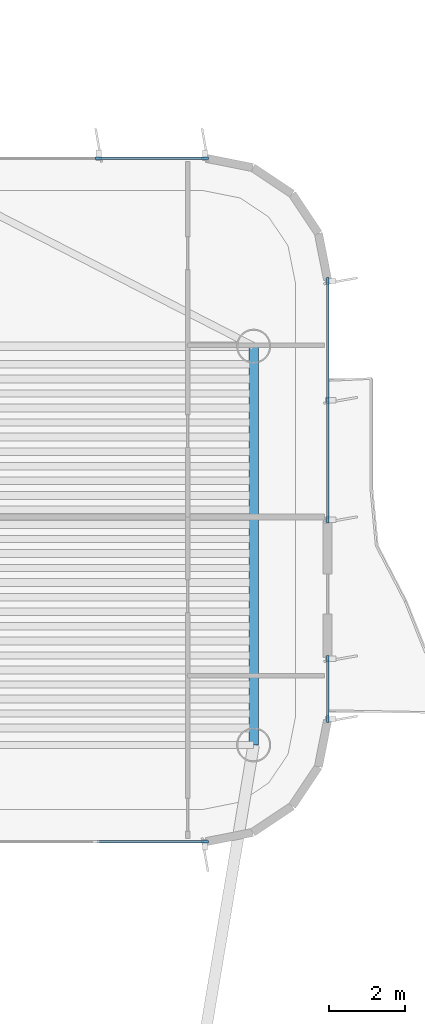
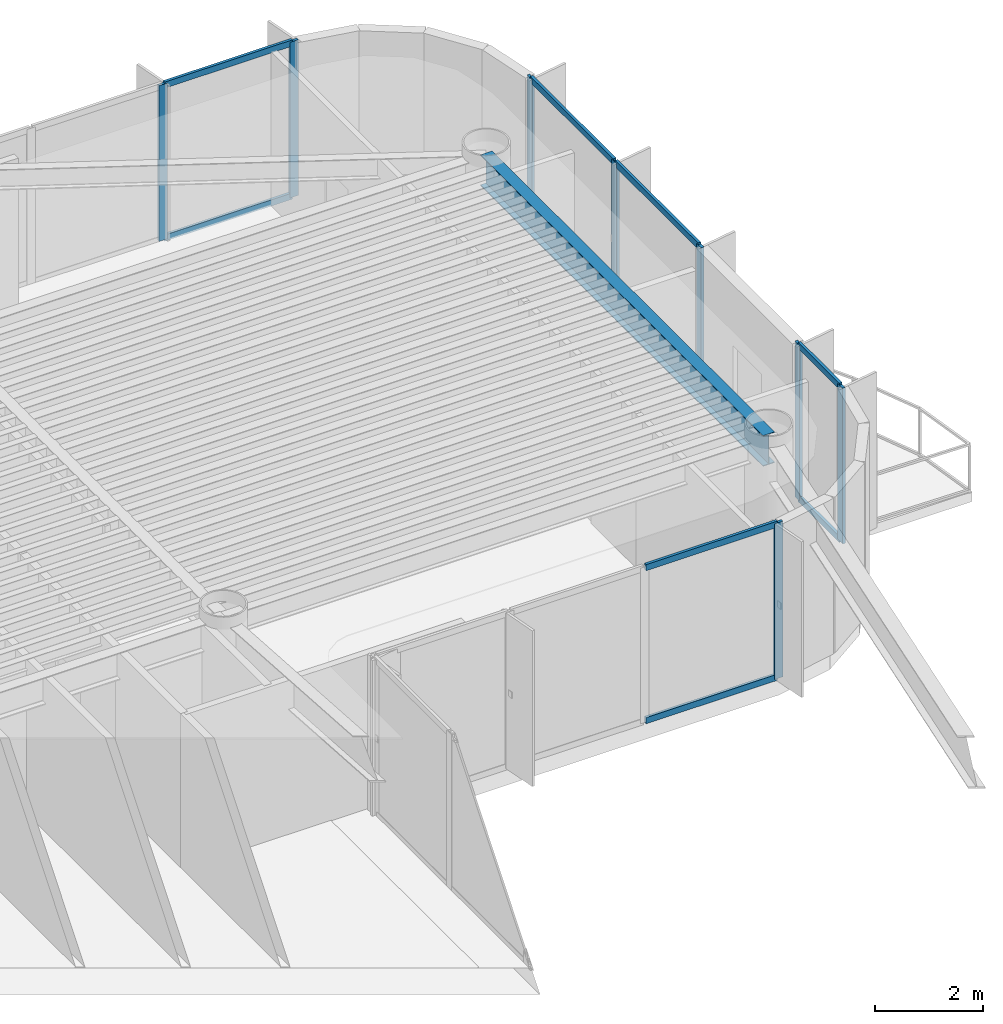
# One storey, part 8 of 16: 18 members, 1 beam, 4 elements without a shape of their own.
"""IFC4 building model written with IfcOpenShell, lengths in metres."""

import ifcopenshell
import ifcopenshell.guid

model = None  # the IFC model being written
_history = None  # IfcOwnerHistory: only IFC2X3 demands one
_inside = {}  # id of a spatial element -> (the spatial element, [elements in it])
_under = {}  # id of a project, library or spatial element -> (it, [spatial elements below it])
_declared = {}  # id of a project -> (the project, [libraries it declares])
_typed = {}  # id of a type object -> (the type object, [elements of that type])
_made_of = {}  # id of a material, layer set ... -> (it, [elements and type objects made of it])


def new_model(schema):
    """Start an empty IFC model of exactly this schema.

    Asked for "IFC4X3", IfcOpenShell would pick the latest addendum, in which some entities
    have other attributes; the version numbers below select the first issue.
    IFC2X3 requires an IfcOwnerHistory on every rooted entity: one is made here for all.
    """
    global model, _history
    if schema == "IFC4X3":
        model = ifcopenshell.file(schema_version=(4, 3, 0, 0))
    else:
        model = ifcopenshell.file(schema=schema)
    _inside.clear()
    _under.clear()
    _declared.clear()
    _typed.clear()
    _made_of.clear()
    _history = None
    if model.schema == "IFC2X3":
        org = make("IfcOrganization", Name="unknown")
        user = make(
            "IfcPersonAndOrganization",
            ThePerson=make("IfcPerson", FamilyName="unknown"),
            TheOrganization=org,
        )
        app = make(
            "IfcApplication",
            ApplicationDeveloper=org,
            Version="unknown",
            ApplicationFullName="unknown",
            ApplicationIdentifier="unknown",
        )
        _history = make(
            "IfcOwnerHistory",
            OwningUser=user,
            OwningApplication=app,
            ChangeAction="ADDED",
            CreationDate=0,
        )
    return model


def make(cls, **values):
    """One entity of the class cls with the attributes given. An attribute that is None is left unset."""
    return model.create_entity(
        cls, **{name: value for name, value in values.items() if value is not None}
    )


def rooted(cls, **values):
    """An entity with a GlobalId (a new one), such as an element, a storey or a relation."""
    return make(cls, GlobalId=ifcopenshell.guid.new(), OwnerHistory=_history, **values)


def si_unit(unit_type, name, prefix=None):
    """IfcSIUnit, for example si_unit("LENGTHUNIT", "METRE", prefix="MILLI")."""
    return make("IfcSIUnit", UnitType=unit_type, Prefix=prefix, Name=name)


def assignment(units):
    """IfcUnitAssignment: the units of a project."""
    return None if units is None else make("IfcUnitAssignment", Units=units)


def point(xyz):
    """IfcCartesianPoint."""
    return None if xyz is None else make("IfcCartesianPoint", Coordinates=xyz)


def direction(xyz):
    """IfcDirection."""
    return None if xyz is None else make("IfcDirection", DirectionRatios=xyz)


def frame(location, z_axis=None, x_axis=None):
    """IfcAxis2Placement3D, a coordinate frame: its origin and axes. An axis left out is left unset."""
    return make(
        "IfcAxis2Placement3D",
        Location=point(location),
        Axis=direction(z_axis),
        RefDirection=direction(x_axis),
    )


def frame_2d(location, x_axis=None):
    """IfcAxis2Placement2D, a coordinate frame in the plane: its origin and x axis."""
    return make(
        "IfcAxis2Placement2D", Location=point(location), RefDirection=direction(x_axis)
    )


def origin():
    """The frame at (0, 0, 0) with its axes left unset."""
    return frame((0.0, 0.0, 0.0))


def origin_2d():
    """The frame at (0, 0) in the plane with its x axis left unset."""
    return frame_2d((0.0, 0.0))


def place(relative_to, where):
    """IfcLocalPlacement: puts the frame where relative to a parent placement (None: the world)."""
    return make(
        "IfcLocalPlacement", PlacementRelTo=relative_to, RelativePlacement=where
    )


def context(
    kind, dimensions, precision=None, world=None, true_north=None, identifier=None
):
    """IfcGeometricRepresentationContext, for example the 3D "Model" context."""
    return make(
        "IfcGeometricRepresentationContext",
        ContextIdentifier=identifier,
        ContextType=kind,
        CoordinateSpaceDimension=dimensions,
        Precision=precision,
        WorldCoordinateSystem=world,
        TrueNorth=true_north,
    )


def subcontext(parent, identifier, kind, view, scale=None):
    """IfcGeometricRepresentationSubContext, for example "Body" below "Model"."""
    return make(
        "IfcGeometricRepresentationSubContext",
        ContextIdentifier=identifier,
        ContextType=kind,
        ParentContext=parent,
        TargetScale=scale,
        TargetView=view,
    )


def project(units=None, contexts=None):
    """IfcProject with its units and contexts."""
    return rooted(
        "IfcProject",
        Name="project",
        RepresentationContexts=contexts,
        UnitsInContext=assignment(units),
    )


def spatial(cls, under=None, at=None, **own):
    """A site, building, storey or space (cls), placed at a placement, below another one or the project."""
    s = rooted(cls, ObjectPlacement=at, **own)
    if under is not None:
        _under.setdefault(under.id(), (under, []))[1].append(s)
    return s


def profile(cls, at=None, kind="AREA", **sizes):
    """A parametric profile (cls). Its sizes go by their IFC names, for example OverallWidth=200.0."""
    return make(cls, ProfileType=kind, Position=at, **sizes)


def rectangle(**sizes):
    """IfcRectangleProfileDef."""
    return profile("IfcRectangleProfileDef", **sizes)


def i_section(**sizes):
    """IfcIShapeProfileDef."""
    return profile("IfcIShapeProfileDef", **sizes)


def extrude(swept, where, along, depth):
    """IfcExtrudedAreaSolid: the profile swept, set in the frame where, extruded along a direction by depth."""
    return make(
        "IfcExtrudedAreaSolid",
        SweptArea=swept,
        Position=where,
        ExtrudedDirection=direction(along),
        Depth=depth,
    )


def shape(context_of_items, identifier, shape_type, items):
    """IfcShapeRepresentation: the items that make up one representation, for example the "Body"."""
    return make(
        "IfcShapeRepresentation",
        ContextOfItems=context_of_items,
        RepresentationIdentifier=identifier,
        RepresentationType=shape_type,
        Items=items,
    )


def source(mapping_origin, context_of_items, identifier, shape_type, items):
    """IfcRepresentationMap: a shape defined once, which mapped items show again and again."""
    return make(
        "IfcRepresentationMap",
        MappingOrigin=mapping_origin,
        MappedRepresentation=shape(context_of_items, identifier, shape_type, items),
    )


def transform(
    local_origin,
    x_axis=None,
    y_axis=None,
    z_axis=None,
    scale=None,
    scale2=None,
    scale3=None,
    uniform=True,
):
    """IfcCartesianTransformationOperator3D, or its non-uniform kind. x_axis, y_axis, z_axis: its Axis1, 2, 3."""
    if uniform:
        return make(
            "IfcCartesianTransformationOperator3D",
            Axis1=direction(x_axis),
            Axis2=direction(y_axis),
            LocalOrigin=point(local_origin),
            Scale=scale,
            Axis3=direction(z_axis),
        )
    return make(
        "IfcCartesianTransformationOperator3DnonUniform",
        Axis1=direction(x_axis),
        Axis2=direction(y_axis),
        LocalOrigin=point(local_origin),
        Scale=scale,
        Axis3=direction(z_axis),
        Scale2=scale2,
        Scale3=scale3,
    )


def mapped(mapping_source, mapping_target):
    """IfcMappedItem: shows the shape of a source again, moved by a transform."""
    return make(
        "IfcMappedItem", MappingSource=mapping_source, MappingTarget=mapping_target
    )


def material(Name=None, Category=None):
    """IfcMaterial."""
    return make("IfcMaterial", Name=Name, Category=Category)


def layer(
    of_material, thickness, ventilated=None, Name=None, Category=None, Priority=None
):
    """IfcMaterialLayer: one layer of a wall or slab, of a material (None: an air gap)."""
    return make(
        "IfcMaterialLayer",
        Material=of_material,
        LayerThickness=thickness,
        IsVentilated=ventilated,
        Name=Name,
        Category=Category,
        Priority=Priority,
    )


def layer_set(layers, Name=None):
    """IfcMaterialLayerSet."""
    return make("IfcMaterialLayerSet", MaterialLayers=layers, LayerSetName=Name)


def material_profile(
    of_material, cross_section, Name=None, Category=None, Priority=None
):
    """IfcMaterialProfile: a cross section and its material."""
    return make(
        "IfcMaterialProfile",
        Name=Name,
        Material=of_material,
        Profile=cross_section,
        Priority=Priority,
        Category=Category,
    )


def profile_set(profiles, Name=None, composite=None):
    """IfcMaterialProfileSet."""
    return make(
        "IfcMaterialProfileSet",
        Name=Name,
        MaterialProfiles=profiles,
        CompositeProfile=composite,
    )


def made_of(thing, what):
    """Note that an element or type object is made of a material, layer set ...; save() writes the relation."""
    if what is not None:
        _made_of.setdefault(what.id(), (what, []))[1].append(thing)
    return thing


def type_object(cls, material=None, **own):
    """A type object (cls), such as IfcWallType, which elements share."""
    return made_of(rooted(cls, **own), material)


def element(
    cls,
    number,
    at=None,
    inside=None,
    cuts=None,
    type_object=None,
    material=None,
    context=None,
    identifier="Body",
    shape_type=None,
    held_by="IfcProductDefinitionShape",
    body=None,
    shapes=None,
    **own,
):
    """One element of the class cls, such as IfcWall. Its Tag is "e" and its number.

    at: its placement. inside: the storey or other place that contains it. cuts: it is an
    opening in that element (IfcRelVoidsElement). A single representation is given by context,
    identifier, shape_type and body (its items); several are given by shapes. held_by: the class
    of the entity that holds the representations. save() writes the other relations.
    """
    e = rooted(cls, Tag="e%d" % number, ObjectPlacement=at, **own)
    if body is not None:
        shapes = [shape(context, identifier, shape_type, body)]
    if shapes is not None:
        e.Representation = make(held_by, Representations=shapes)
    if inside is not None:
        _inside.setdefault(inside.id(), (inside, []))[1].append(e)
    if cuts is not None:
        rooted(
            "IfcRelVoidsElement", RelatingBuildingElement=cuts, RelatedOpeningElement=e
        )
    if type_object is not None:
        _typed.setdefault(type_object.id(), (type_object, []))[1].append(e)
    return made_of(e, material)


def aggregate(whole, parts):
    """IfcRelAggregates: a whole, such as a stair, and the parts it consists of."""
    return rooted("IfcRelAggregates", RelatingObject=whole, RelatedObjects=parts)


def save(model, path):
    """Write the relations noted so far, then the file.

    IfcRelAggregates (storeys below a building ...), IfcRelContainedInSpatialStructure (elements
    in a storey), IfcRelDefinesByType, IfcRelAssociatesMaterial and IfcRelDeclares: one each for
    every whole, place, type object, material and project.
    """
    for whole, parts in _under.values():
        aggregate(whole, parts)
    for where, things in _inside.values():
        rooted(
            "IfcRelContainedInSpatialStructure",
            RelatedElements=things,
            RelatingStructure=where,
        )
    for kind, things in _typed.values():
        rooted("IfcRelDefinesByType", RelatedObjects=things, RelatingType=kind)
    for what, things in _made_of.values():
        rooted("IfcRelAssociatesMaterial", RelatedObjects=things, RelatingMaterial=what)
    for by, libraries in _declared.values():
        rooted("IfcRelDeclares", RelatingContext=by, RelatedDefinitions=libraries)
    model.write(path)


model = new_model("IFC4")

# Units and contexts
model_context = context("Model", 3, precision=1e-05, world=origin(), true_north=direction((0.0, 1.0)))
body_context = subcontext(model_context, "Body", "Model", "MODEL_VIEW")
ifc_project = project(units=[si_unit("LENGTHUNIT", "METRE"), si_unit("AREAUNIT", "SQUARE_METRE"), si_unit("VOLUMEUNIT", "CUBIC_METRE"), si_unit("PLANEANGLEUNIT", "RADIAN"), si_unit("MASSUNIT", "GRAM", prefix="KILO")], contexts=[model_context])

# Site, building, storey
site_placement = place(None, origin())
site = spatial("IfcSite", under=ifc_project, at=site_placement, CompositionType="ELEMENT")
building_placement = place(site_placement, origin())
building = spatial("IfcBuilding", under=site, at=building_placement, Name="Brelvock Crest Care Tower", CompositionType="ELEMENT")
storey_placement = place(building_placement, frame((0.0, 0.0, 223.02001953125)))
storey = spatial("IfcBuildingStorey", under=building, at=storey_placement, Name="L56", CompositionType="ELEMENT", Elevation=223.02001953125)

# Beam
ifc_material_1 = material(Name="Steel Grade 350", Category="steel")
ifc_material_profile_1 = material_profile(ifc_material_1, i_section(OverallWidth=0.25, OverallDepth=0.699951171875, WebThickness=0.011962890625, FlangeThickness=0.02001953125, at=origin_2d()), Name="700WB150")
ifc_profile_set_1 = profile_set([ifc_material_profile_1], Name="Steel Grade 350")
beam_type = type_object("IfcBeamType", Name="BM-G4", PredefinedType="BEAM", material=ifc_profile_set_1)
shared_shape_1 = source(origin(), body_context, "Body", "SweptSolid", [
    extrude(i_section(OverallWidth=0.25, OverallDepth=0.699951171875, WebThickness=0.011962890625, FlangeThickness=0.02001953125, at=origin_2d()), origin(), (0.0, 0.0, 1.0), 10.5),
])
beam_placement = place(storey_placement, frame((52.35009765625, 43.949951171875, 3.179931640625), z_axis=(0.0, 1.0, 0.0), x_axis=(-1.0, 0.0, 0.0)))
element("IfcBeam", 1, at=beam_placement, inside=storey, type_object=beam_type, Name="BM-TWR-L56-02", PredefinedType="BEAM", context=body_context, shape_type="MappedRepresentation", body=[
    mapped(shared_shape_1, transform((0.0, 0.0, 0.0), x_axis=(1.0, 0.0, 0.0), y_axis=(0.0, 1.0, 0.0), z_axis=(0.0, 0.0, 1.0), scale=1.0)),
])

# Curtain wall, members
ifc_material_2 = material(Name="Dark Glass Double Glazed Low-E", Category="glass")
ifc_layer = layer(ifc_material_2, 0.239990234375, Name="CWS-5")
ifc_layer_set = layer_set([ifc_layer], Name="Dark Glass Double Glazed Low-E")
curtain_wall_type = type_object("IfcCurtainWallType", Name="CWS-5", PredefinedType="NOTDEFINED", material=ifc_layer_set)
curtain_wall_1_placement = place(storey_placement, origin())
curtain_wall_1 = element("IfcCurtainWall", 2, at=curtain_wall_1_placement, inside=storey, type_object=curtain_wall_type, Name="L56 Curtain Wall E34", PredefinedType="NOTDEFINED")
ifc_material_3 = material(Name="Aluminium 6063-T6", Category="aluminium")
ifc_material_profile_2 = material_profile(ifc_material_3, rectangle(XDim=0.06005859375, YDim=0.179931640625, at=origin_2d()), Name="ALU60x180")
ifc_profile_set_2 = profile_set([ifc_material_profile_2], Name="Aluminium 6063-T6")
member_type_1 = type_object("IfcMemberType", Name="CWM-2", PredefinedType="MULLION", material=ifc_profile_set_2)
shared_shape_2 = source(origin(), body_context, "Body", "SweptSolid", [
    extrude(rectangle(XDim=0.06005859375, YDim=0.179931640625, at=origin_2d()), origin(), (0.0, 0.0, 1.0), 3.530029296875),
])
member_1_placement = place(storey_placement, frame((48.2666015625, 59.39990234375, 0.0), z_axis=(0.0, 0.0, 1.0), x_axis=(0.0, 1.0, 0.0)))
member_1 = element("IfcMember", 3, at=member_1_placement, type_object=member_type_1, Name="CW-5 mullion 3", PredefinedType="MULLION", context=body_context, shape_type="MappedRepresentation", body=[
    mapped(shared_shape_2, transform((0.0, 0.0, 0.0), x_axis=(1.0, 0.0, 0.0), y_axis=(0.0, 1.0, 0.0), z_axis=(0.0, 0.0, 1.0), scale=1.0)),
])
member_2_placement = place(storey_placement, frame((51.070068359375, 59.39990234375, 0.0), z_axis=(0.0, 0.0, 1.0), x_axis=(0.0, 1.0, 0.0)))
member_2 = element("IfcMember", 4, at=member_2_placement, type_object=member_type_1, Name="CW-5 mullion 4", PredefinedType="MULLION", context=body_context, shape_type="MappedRepresentation", body=[
    mapped(shared_shape_2, transform((0.0, 0.0, 0.0), x_axis=(1.0, 0.0, 0.0), y_axis=(0.0, 1.0, 0.0), z_axis=(0.0, 0.0, 1.0), scale=1.0)),
])

curtain_wall_2_placement = place(storey_placement, origin())
curtain_wall_2 = element("IfcCurtainWall", 5, at=curtain_wall_2_placement, inside=storey, type_object=curtain_wall_type, Name="L56 Curtain Wall E39A", PredefinedType="NOTDEFINED")
member_3_placement = place(storey_placement, frame((54.300048828125, 56.169921875, 0.0), z_axis=(0.0, 0.0, 1.0), x_axis=(1.0, 0.0, 0.0)))
member_3 = element("IfcMember", 6, at=member_3_placement, type_object=member_type_1, Name="CW-5 mullion 1", PredefinedType="MULLION", context=body_context, shape_type="MappedRepresentation", body=[
    mapped(shared_shape_2, transform((0.0, 0.0, 0.0), x_axis=(1.0, 0.0, 0.0), y_axis=(0.0, 1.0, 0.0), z_axis=(0.0, 0.0, 1.0), scale=1.0)),
])
member_4_placement = place(storey_placement, frame((54.300048828125, 53.02490234375, 0.0), z_axis=(0.0, 0.0, 1.0), x_axis=(1.0, 0.0, 0.0)))
member_4 = element("IfcMember", 7, at=member_4_placement, type_object=member_type_1, Name="CW-5 mullion 2", PredefinedType="MULLION", context=body_context, shape_type="MappedRepresentation", body=[
    mapped(shared_shape_2, transform((0.0, 0.0, 0.0), x_axis=(1.0, 0.0, 0.0), y_axis=(0.0, 1.0, 0.0), z_axis=(0.0, 0.0, 1.0), scale=1.0)),
])
member_5_placement = place(storey_placement, frame((54.300048828125, 49.8798828125, 0.0), z_axis=(0.0, 0.0, 1.0), x_axis=(1.0, 0.0, 0.0)))
member_5 = element("IfcMember", 8, at=member_5_placement, type_object=member_type_1, Name="CW-5 mullion 3", PredefinedType="MULLION", context=body_context, shape_type="MappedRepresentation", body=[
    mapped(shared_shape_2, transform((0.0, 0.0, 0.0), x_axis=(1.0, 0.0, 0.0), y_axis=(0.0, 1.0, 0.0), z_axis=(0.0, 0.0, 1.0), scale=1.0)),
])

curtain_wall_3_placement = place(storey_placement, origin())
curtain_wall_3 = element("IfcCurtainWall", 9, at=curtain_wall_3_placement, inside=storey, type_object=curtain_wall_type, Name="L56 Curtain Wall E39B", PredefinedType="NOTDEFINED")
member_6_placement = place(storey_placement, frame((54.300048828125, 46.219970703125, 0.0), z_axis=(0.0, 0.0, 1.0), x_axis=(1.0, 0.0, 0.0)))
member_6 = element("IfcMember", 10, at=member_6_placement, type_object=member_type_1, Name="CW-5 mullion 1", PredefinedType="MULLION", context=body_context, shape_type="MappedRepresentation", body=[
    mapped(shared_shape_2, transform((0.0, 0.0, 0.0), x_axis=(1.0, 0.0, 0.0), y_axis=(0.0, 1.0, 0.0), z_axis=(0.0, 0.0, 1.0), scale=1.0)),
])
member_7_placement = place(storey_placement, frame((54.300048828125, 44.6298828125, 0.0), z_axis=(0.0, 0.0, 1.0), x_axis=(1.0, 0.0, 0.0)))
member_7 = element("IfcMember", 11, at=member_7_placement, type_object=member_type_1, Name="CW-5 mullion 2", PredefinedType="MULLION", context=body_context, shape_type="MappedRepresentation", body=[
    mapped(shared_shape_2, transform((0.0, 0.0, 0.0), x_axis=(1.0, 0.0, 0.0), y_axis=(0.0, 1.0, 0.0), z_axis=(0.0, 0.0, 1.0), scale=1.0)),
])

# Curtain wall, member
curtain_wall_4_placement = place(storey_placement, origin())
curtain_wall_4 = element("IfcCurtainWall", 12, at=curtain_wall_4_placement, inside=storey, type_object=curtain_wall_type, Name="L56 Curtain Wall E44", PredefinedType="NOTDEFINED")
member_8_placement = place(storey_placement, frame((51.070068359375, 41.39990234375, 0.0), z_axis=(0.0, 0.0, 1.0), x_axis=(0.0, -1.0, 0.0)))
member_8 = element("IfcMember", 13, at=member_8_placement, type_object=member_type_1, Name="CW-5 mullion 1", PredefinedType="MULLION", context=body_context, shape_type="MappedRepresentation", body=[
    mapped(shared_shape_2, transform((0.0, 0.0, 0.0), x_axis=(1.0, 0.0, 0.0), y_axis=(0.0, 1.0, 0.0), z_axis=(0.0, 0.0, 1.0), scale=1.0)),
])

# Member
ifc_material_profile_3 = material_profile(ifc_material_3, rectangle(XDim=0.06005859375, YDim=0.139892578125, at=origin_2d()), Name="ALU60x140")
ifc_profile_set_3 = profile_set([ifc_material_profile_3], Name="Aluminium 6063-T6")
member_type_2 = type_object("IfcMemberType", Name="CWT-2", PredefinedType="USERDEFINED", material=ifc_profile_set_3)
shared_shape_3 = source(origin(), body_context, "Body", "SweptSolid", [
    extrude(rectangle(XDim=0.06005859375, YDim=0.139892578125, at=origin_2d()), origin(), (0.0, 0.0, 1.0), 1.530029296875),
])
member_9_placement = place(storey_placement, frame((54.300048828125, 46.18994140625, 0.030029296875), z_axis=(0.0, -1.0, 0.0), x_axis=(1.0, 0.0, 0.0)))
member_9 = element("IfcMember", 14, at=member_9_placement, type_object=member_type_2, Name="CW-5 transom 1.1", ObjectType="TRANSOM", PredefinedType="USERDEFINED", context=body_context, shape_type="MappedRepresentation", body=[
    mapped(shared_shape_3, transform((0.0, 0.0, 0.0), x_axis=(1.0, 0.0, 0.0), y_axis=(0.0, 1.0, 0.0), z_axis=(0.0, 0.0, 1.0), scale=1.0)),
])

member_10_placement = place(storey_placement, frame((54.300048828125, 46.18994140625, 3.5), z_axis=(0.0, -1.0, 0.0), x_axis=(1.0, 0.0, 0.0)))
member_10 = element("IfcMember", 15, at=member_10_placement, type_object=member_type_2, Name="CW-5 transom 1.2", ObjectType="TRANSOM", PredefinedType="USERDEFINED", context=body_context, shape_type="MappedRepresentation", body=[
    mapped(shared_shape_3, transform((0.0, 0.0, 0.0), x_axis=(1.0, 0.0, 0.0), y_axis=(0.0, 1.0, 0.0), z_axis=(0.0, 0.0, 1.0), scale=1.0)),
])

aggregate(curtain_wall_3, [member_6, member_7, member_9, member_10])

shared_shape_4 = source(origin(), body_context, "Body", "SweptSolid", [
    extrude(rectangle(XDim=0.06005859375, YDim=0.139892578125, at=origin_2d()), origin(), (0.0, 0.0, 1.0), 2.81005859375),
])
member_11_placement = place(storey_placement, frame((51.0400390625, 41.39990234375, 0.030029296875), z_axis=(-1.0, 0.0, 0.0), x_axis=(0.0, -1.0, 0.0)))
member_11 = element("IfcMember", 16, at=member_11_placement, type_object=member_type_2, Name="CW-5 transom 1.1", ObjectType="TRANSOM", PredefinedType="USERDEFINED", context=body_context, shape_type="MappedRepresentation", body=[
    mapped(shared_shape_4, transform((0.0, 0.0, 0.0), x_axis=(1.0, 0.0, 0.0), y_axis=(0.0, 1.0, 0.0), z_axis=(0.0, 0.0, 1.0), scale=1.0)),
])

member_12_placement = place(storey_placement, frame((51.0400390625, 41.39990234375, 3.5), z_axis=(-1.0, 0.0, 0.0), x_axis=(0.0, -1.0, 0.0)))
member_12 = element("IfcMember", 17, at=member_12_placement, type_object=member_type_2, Name="CW-5 transom 1.2", ObjectType="TRANSOM", PredefinedType="USERDEFINED", context=body_context, shape_type="MappedRepresentation", body=[
    mapped(shared_shape_4, transform((0.0, 0.0, 0.0), x_axis=(1.0, 0.0, 0.0), y_axis=(0.0, 1.0, 0.0), z_axis=(0.0, 0.0, 1.0), scale=1.0)),
])

aggregate(curtain_wall_4, [member_8, member_11, member_12])

shared_shape_5 = source(origin(), body_context, "Body", "SweptSolid", [
    extrude(rectangle(XDim=0.06005859375, YDim=0.139892578125, at=origin_2d()), origin(), (0.0, 0.0, 1.0), 3.085205078125),
])
member_13_placement = place(storey_placement, frame((54.300048828125, 52.9951171875, 0.030029296875), z_axis=(0.0, -1.0, 0.0), x_axis=(1.0, 0.0, 0.0)))
member_13 = element("IfcMember", 18, at=member_13_placement, type_object=member_type_2, Name="CW-5 transom 2.1", ObjectType="TRANSOM", PredefinedType="USERDEFINED", context=body_context, shape_type="MappedRepresentation", body=[
    mapped(shared_shape_5, transform((0.0, 0.0, 0.0), x_axis=(1.0, 0.0, 0.0), y_axis=(0.0, 1.0, 0.0), z_axis=(0.0, 0.0, 1.0), scale=1.0)),
])

member_14_placement = place(storey_placement, frame((54.300048828125, 52.9951171875, 3.5), z_axis=(0.0, -1.0, 0.0), x_axis=(1.0, 0.0, 0.0)))
member_14 = element("IfcMember", 19, at=member_14_placement, type_object=member_type_2, Name="CW-5 transom 2.2", ObjectType="TRANSOM", PredefinedType="USERDEFINED", context=body_context, shape_type="MappedRepresentation", body=[
    mapped(shared_shape_5, transform((0.0, 0.0, 0.0), x_axis=(1.0, 0.0, 0.0), y_axis=(0.0, 1.0, 0.0), z_axis=(0.0, 0.0, 1.0), scale=1.0)),
])

shared_shape_6 = source(origin(), body_context, "Body", "SweptSolid", [
    extrude(rectangle(XDim=0.06005859375, YDim=0.139892578125, at=origin_2d()), origin(), (0.0, 0.0, 1.0), 3.0849609375),
])
member_15_placement = place(storey_placement, frame((54.300048828125, 56.139892578125, 0.030029296875), z_axis=(0.0, -1.0, 0.0), x_axis=(1.0, 0.0, 0.0)))
member_15 = element("IfcMember", 20, at=member_15_placement, type_object=member_type_2, Name="CW-5 transom 1.1", ObjectType="TRANSOM", PredefinedType="USERDEFINED", context=body_context, shape_type="MappedRepresentation", body=[
    mapped(shared_shape_6, transform((0.0, 0.0, 0.0), x_axis=(1.0, 0.0, 0.0), y_axis=(0.0, 1.0, 0.0), z_axis=(0.0, 0.0, 1.0), scale=1.0)),
])

member_16_placement = place(storey_placement, frame((54.300048828125, 56.139892578125, 3.5), z_axis=(0.0, -1.0, 0.0), x_axis=(1.0, 0.0, 0.0)))
member_16 = element("IfcMember", 21, at=member_16_placement, type_object=member_type_2, Name="CW-5 transom 1.2", ObjectType="TRANSOM", PredefinedType="USERDEFINED", context=body_context, shape_type="MappedRepresentation", body=[
    mapped(shared_shape_6, transform((0.0, 0.0, 0.0), x_axis=(1.0, 0.0, 0.0), y_axis=(0.0, 1.0, 0.0), z_axis=(0.0, 0.0, 1.0), scale=1.0)),
])

aggregate(curtain_wall_2, [member_3, member_4, member_5, member_15, member_16, member_13, member_14])

shared_shape_7 = source(origin(), body_context, "Body", "SweptSolid", [
    extrude(rectangle(XDim=0.06005859375, YDim=0.139892578125, at=origin_2d()), origin(), (0.0, 0.0, 1.0), 2.743408203125),
])
member_17_placement = place(storey_placement, frame((48.296630859375, 59.39990234375, 0.030029296875), z_axis=(1.0, 0.0, 0.0), x_axis=(0.0, 1.0, 0.0)))
member_17 = element("IfcMember", 22, at=member_17_placement, type_object=member_type_2, Name="CW-5 transom 3.1", ObjectType="TRANSOM", PredefinedType="USERDEFINED", context=body_context, shape_type="MappedRepresentation", body=[
    mapped(shared_shape_7, transform((0.0, 0.0, 0.0), x_axis=(1.0, 0.0, 0.0), y_axis=(0.0, 1.0, 0.0), z_axis=(0.0, 0.0, 1.0), scale=1.0)),
])

member_18_placement = place(storey_placement, frame((48.296630859375, 59.39990234375, 3.5), z_axis=(1.0, 0.0, 0.0), x_axis=(0.0, 1.0, 0.0)))
member_18 = element("IfcMember", 23, at=member_18_placement, type_object=member_type_2, Name="CW-5 transom 3.2", ObjectType="TRANSOM", PredefinedType="USERDEFINED", context=body_context, shape_type="MappedRepresentation", body=[
    mapped(shared_shape_7, transform((0.0, 0.0, 0.0), x_axis=(1.0, 0.0, 0.0), y_axis=(0.0, 1.0, 0.0), z_axis=(0.0, 0.0, 1.0), scale=1.0)),
])

aggregate(curtain_wall_1, [member_1, member_2, member_17, member_18])

save(model, "model.ifc")
